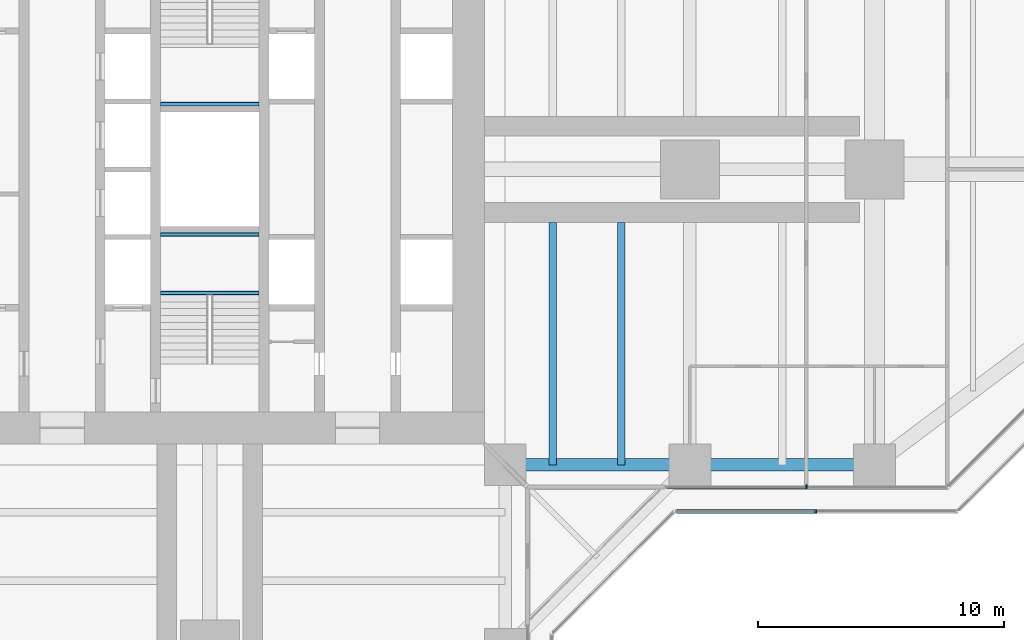
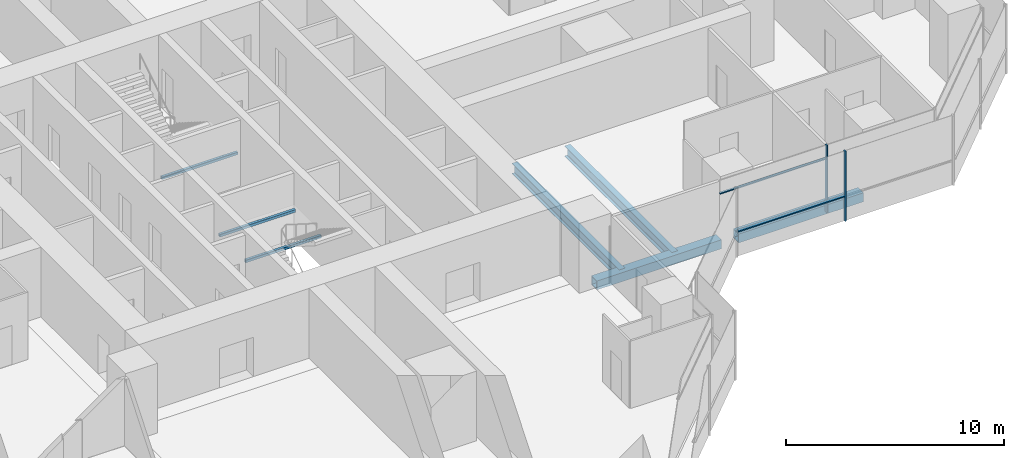
# One storey, part 5 of 20: 7 beams, 4 members, 2 elements without a shape of their own.
"""IFC4 building model written with IfcOpenShell, lengths in metres."""

from ifc_helpers import new_model, si_unit, direction, frame, origin, origin_2d, place, context, subcontext, project, spatial, rectangle, hollow_rectangle, i_section, extrude, material, material_profile, profile_set, type_object, element, aggregate, save


model = new_model("IFC4")

# Units and contexts
model_context = context("Model", 3, precision=1e-05, world=origin(), true_north=direction((0.0, 1.0)))
body_context = subcontext(model_context, "Body", "Model", "MODEL_VIEW")
ifc_project = project(units=[si_unit("LENGTHUNIT", "METRE"), si_unit("AREAUNIT", "SQUARE_METRE"), si_unit("VOLUMEUNIT", "CUBIC_METRE"), si_unit("PLANEANGLEUNIT", "RADIAN"), si_unit("MASSUNIT", "GRAM", prefix="KILO")], contexts=[model_context])

# Site, building, storey
site_placement = place(None, origin())
site = spatial("IfcSite", under=ifc_project, at=site_placement, CompositionType="ELEMENT")
building_placement = place(site_placement, origin())
building = spatial("IfcBuilding", under=site, at=building_placement, Name="Mizan Broadcast Tower", CompositionType="ELEMENT")
storey_placement = place(building_placement, frame((0.0, 0.0, 139.800048828125)))
storey = spatial("IfcBuildingStorey", under=building, at=storey_placement, Name="L31", CompositionType="ELEMENT", Elevation=139.800048828125)

# Beams
ifc_material_1 = material(Name="Steel S355", Category="steel")
ifc_material_profile_1 = material_profile(ifc_material_1, hollow_rectangle(XDim=0.5, YDim=0.5, WallThickness=0.030029296875, at=origin_2d()), Name="BOX 500x500x30")
ifc_profile_set_1 = profile_set([ifc_material_profile_1], Name="Steel S355")
beam_type_1 = type_object("IfcBeamType", Name="EDGE BEAM BOX 500x500x30", PredefinedType="SPANDREL", material=ifc_profile_set_1)
for number, where, z_axis, x_axis, name in (
    (1, (12.449951171875, -12.0, -0.380126953125), (1.0, 0.0, 0.0), (0.0, 1.0, 0.0), "Edge beam BOX 500x500x30 L31 east arm"),
    (2, (19.949951171875, -12.0, -0.380126953125), (1.0, 0.0, 0.0), (0.0, 1.0, 0.0), "Edge beam BOX 500x500x30 L31 east arm"),
):
    element("IfcBeam", number, at=place(storey_placement, frame(where, z_axis=z_axis, x_axis=x_axis)), inside=storey, type_object=beam_type_1, Name=name, PredefinedType="SPANDREL", context=body_context, shape_type="SweptSolid", body=[
        extrude(hollow_rectangle(XDim=0.5, YDim=0.5, WallThickness=0.030029296875, at=origin_2d()), origin(), (0.0, 0.0, 1.0), 6.60009765625),
    ])

# Curtain wall, members
ifc_material_2 = material(Name="Aluminium framed glazing", Category="aluminium")
curtain_wall_type_1 = type_object("IfcCurtainWallType", Name="INNER SKIN MID ZONE", PredefinedType="USERDEFINED", material=ifc_material_2)
curtain_wall_1_placement = place(storey_placement, origin())
curtain_wall_1 = element("IfcCurtainWall", 3, at=curtain_wall_1_placement, inside=storey, type_object=curtain_wall_type_1, Name="Inner skin mid zone L31 E side", ObjectType="INNER SKIN MID ZONE", PredefinedType="USERDEFINED")
ifc_material_3 = material(Name="Aluminium, pale anodised", Category="aluminium")
ifc_material_profile_2 = material_profile(ifc_material_3, rectangle(XDim=0.159912109375, YDim=0.06005859375, at=origin_2d()), Name="MULLION 160x60")
ifc_profile_set_2 = profile_set([ifc_material_profile_2], Name="Aluminium, pale anodised")
member_type_1 = type_object("IfcMemberType", Name="INNER SKIN MULLION 60x160", PredefinedType="MULLION", material=ifc_profile_set_2)
member_1_placement = place(storey_placement, frame((24.229248046875, -12.89990234375, 0.0), z_axis=(0.0, 0.0, 1.0), x_axis=(0.0, 1.0, 0.0)))
member_1 = element("IfcMember", 4, at=member_1_placement, type_object=member_type_1, Name="Inner skin mid zone L31 E side mullion 2", PredefinedType="MULLION", context=body_context, shape_type="SweptSolid", body=[
    extrude(rectangle(XDim=0.159912109375, YDim=0.06005859375, at=origin_2d()), origin(), (0.0, 0.0, 1.0), 3.77001953125),
])
ifc_material_4 = material(Name="Aluminium, pale anodised", Category="aluminium")
ifc_material_profile_3 = material_profile(ifc_material_4, rectangle(XDim=0.1201171875, YDim=0.06005859375, at=origin_2d()), Name="TRANSOM 120x60")
ifc_profile_set_3 = profile_set([ifc_material_profile_3], Name="Aluminium, pale anodised")
member_type_2 = type_object("IfcMemberType", Name="INNER SKIN TRANSOM 60x120", PredefinedType="USERDEFINED", material=ifc_profile_set_3)
member_2_placement = place(storey_placement, frame((18.56005859375, -12.89990234375, 3.030029296875), z_axis=(1.0, 0.0, 0.0), x_axis=(0.0, 1.0, 0.0)))
member_2 = element("IfcMember", 5, at=member_2_placement, type_object=member_type_2, Name="Inner skin mid zone L31 E side transom 1.1", ObjectType="TRANSOM", PredefinedType="USERDEFINED", context=body_context, shape_type="SweptSolid", body=[
    extrude(rectangle(XDim=0.1201171875, YDim=0.06005859375, at=origin_2d()), origin(), (0.0, 0.0, 1.0), 5.63916015625),
])
aggregate(curtain_wall_1, [member_1, member_2])

# Beams
ifc_material_5 = material(Name="Steel S355", Category="steel")
ifc_material_profile_4 = material_profile(ifc_material_5, hollow_rectangle(XDim=0.14990234375, YDim=0.14990234375, WallThickness=0.008056640625, InnerFilletRadius=0.008056640625, OuterFilletRadius=0.011962890625, at=origin_2d()), Name="SHS 150x150x8")
ifc_profile_set_4 = profile_set([ifc_material_profile_4], Name="Steel S355")
beam_type_2 = type_object("IfcBeamType", Name="LANDING TRIMMER SHS 150x150x8", PredefinedType="BEAM", material=ifc_profile_set_4)
for number, where, z_axis, x_axis, name in (
    (6, (-2.0, -5.02490234375, 1.675048828125), (1.0, 0.0, 0.0), (0.0, 1.0, 0.0), "Stair A landing trimmer L31"),
    (7, (-2.0, -2.64990234375, 1.675048828125), (1.0, 0.0, 0.0), (0.0, 1.0, 0.0), "Stair A landing trimmer L31"),
    (8, (2.0, 2.64990234375, 1.675048828125), (-1.0, 0.0, 0.0), (0.0, -1.0, 0.0), "Stair B landing trimmer L31"),
):
    element("IfcBeam", number, at=place(storey_placement, frame(where, z_axis=z_axis, x_axis=x_axis)), inside=storey, type_object=beam_type_2, Name=name, PredefinedType="BEAM", context=body_context, shape_type="SweptSolid", body=[
        extrude(hollow_rectangle(XDim=0.14990234375, YDim=0.14990234375, WallThickness=0.008056640625, InnerFilletRadius=0.008056640625, OuterFilletRadius=0.011962890625, at=origin_2d()), origin(), (0.0, 0.0, 1.0), 4.0),
    ])

# Curtain wall, members
ifc_material_6 = material(Name="Aluminium framed glazing", Category="aluminium")
curtain_wall_type_2 = type_object("IfcCurtainWallType", Name="OUTER SKIN", PredefinedType="USERDEFINED", material=ifc_material_6)
curtain_wall_2_placement = place(storey_placement, origin())
curtain_wall_2 = element("IfcCurtainWall", 9, at=curtain_wall_2_placement, inside=storey, type_object=curtain_wall_type_2, Name="Outer skin L31 E side", ObjectType="OUTER SKIN", PredefinedType="USERDEFINED")
ifc_material_7 = material(Name="Aluminium, pale anodised", Category="aluminium")
ifc_material_profile_5 = material_profile(ifc_material_7, rectangle(XDim=0.159912109375, YDim=0.080078125, at=origin_2d()), Name="MULLION 160x80")
ifc_profile_set_5 = profile_set([ifc_material_profile_5], Name="Aluminium, pale anodised")
member_type_3 = type_object("IfcMemberType", Name="OUTER SKIN MULLION 80x160", PredefinedType="MULLION", material=ifc_profile_set_5)
member_3_placement = place(storey_placement, frame((24.622802734375, -13.89990234375, 0.0), z_axis=(0.0, 0.0, 1.0), x_axis=(0.0, 1.0, 0.0)))
member_3 = element("IfcMember", 10, at=member_3_placement, type_object=member_type_3, Name="Outer skin L31 E side mullion 2", PredefinedType="MULLION", context=body_context, shape_type="SweptSolid", body=[
    extrude(rectangle(XDim=0.159912109375, YDim=0.080078125, at=origin_2d()), origin(), (0.0, 0.0, 1.0), 3.89990234375),
])
ifc_material_8 = material(Name="Aluminium, pale anodised", Category="aluminium")
ifc_material_profile_6 = material_profile(ifc_material_8, rectangle(XDim=0.159912109375, YDim=0.06005859375, at=origin_2d()), Name="TRANSOM 160x60")
ifc_profile_set_6 = profile_set([ifc_material_profile_6], Name="Aluminium, pale anodised")
member_type_4 = type_object("IfcMemberType", Name="OUTER SKIN TRANSOM 60x160", PredefinedType="USERDEFINED", material=ifc_profile_set_6)
member_4_placement = place(storey_placement, frame((18.952880859375, -13.89990234375, 1.39990234375), z_axis=(1.0, 0.0, 0.0), x_axis=(0.0, 1.0, 0.0)))
member_4 = element("IfcMember", 11, at=member_4_placement, type_object=member_type_4, Name="Outer skin L31 E side transom 1.1", ObjectType="TRANSOM", PredefinedType="USERDEFINED", context=body_context, shape_type="SweptSolid", body=[
    extrude(rectangle(XDim=0.159912109375, YDim=0.06005859375, at=origin_2d()), origin(), (0.0, 0.0, 1.0), 5.6298828125),
])
aggregate(curtain_wall_2, [member_3, member_4])

# Beams
ifc_material_9 = material(Name="Steel S355", Category="steel")
ifc_material_profile_7 = material_profile(ifc_material_9, i_section(OverallWidth=0.300048828125, OverallDepth=0.590087890625, WebThickness=0.012939453125, FlangeThickness=0.02490234375, FilletRadius=0.027099609375, at=origin_2d()), Name="HEA 600")
ifc_profile_set_7 = profile_set([ifc_material_profile_7], Name="Steel S355")
beam_type_3 = type_object("IfcBeamType", Name="SECONDARY BEAM HEA 600", PredefinedType="JOIST", material=ifc_profile_set_7)
for number, where, z_axis, x_axis, name in (
    (12, (13.933349609375, -12.0, -0.425048828125), (0.0, 1.0, 0.0), (-1.0, 0.0, 0.0), "Secondary beam HEA 600 L31 east arm"),
    (13, (16.716552734375, -12.0, -0.425048828125), (0.0, 1.0, 0.0), (-1.0, 0.0, 0.0), "Secondary beam HEA 600 L31 east arm"),
):
    element("IfcBeam", number, at=place(storey_placement, frame(where, z_axis=z_axis, x_axis=x_axis)), inside=storey, type_object=beam_type_3, Name=name, PredefinedType="JOIST", context=body_context, shape_type="SweptSolid", body=[
        extrude(i_section(OverallWidth=0.300048828125, OverallDepth=0.590087890625, WebThickness=0.012939453125, FlangeThickness=0.02490234375, FilletRadius=0.027099609375, at=origin_2d()), origin(), (0.0, 0.0, 1.0), 9.85009765625),
    ])

save(model, "model.ifc")
